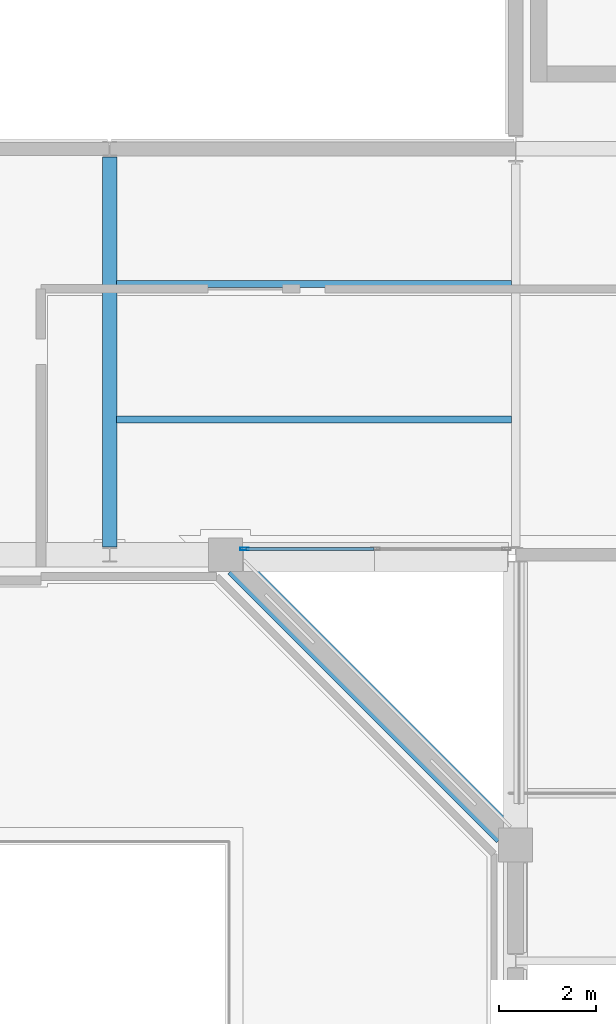
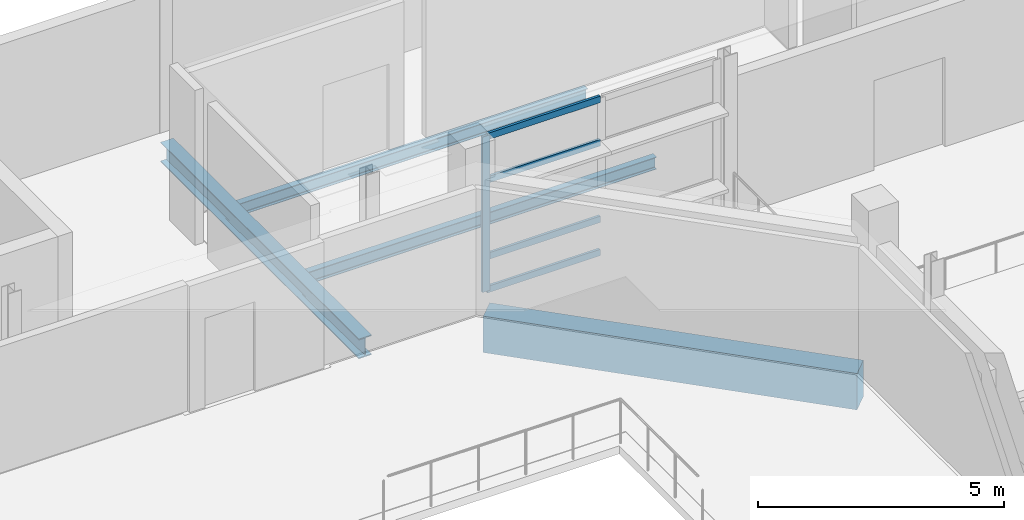
# One storey, part 16 of 151: 5 members, 4 beams, 1 element without a shape of its own.
"""IFC4 building model written with IfcOpenShell, lengths in metres."""

from ifc_helpers import new_model, si_unit, direction, frame, origin, origin_2d, place, context, subcontext, project, spatial, rectangle, hollow_rectangle, i_section, extrude, material, material_profile, profile_set, type_object, element, aggregate, save


model = new_model("IFC4")

# Units and contexts
model_context = context("Model", 3, precision=1e-05, world=origin(), true_north=direction((0.0, 1.0)))
body_context = subcontext(model_context, "Body", "Model", "MODEL_VIEW")
ifc_project = project(units=[si_unit("LENGTHUNIT", "METRE"), si_unit("AREAUNIT", "SQUARE_METRE"), si_unit("VOLUMEUNIT", "CUBIC_METRE"), si_unit("PLANEANGLEUNIT", "RADIAN"), si_unit("MASSUNIT", "GRAM", prefix="KILO")], contexts=[model_context])

# Site, building, storey
site_placement = place(None, origin())
site = spatial("IfcSite", under=ifc_project, at=site_placement, CompositionType="ELEMENT")
building_placement = place(site_placement, origin())
building = spatial("IfcBuilding", under=site, at=building_placement, Name="Mersafa Astral City Hall", CompositionType="ELEMENT")
storey_placement = place(building_placement, frame((0.0, 0.0, 9.89990234375)))
storey = spatial("IfcBuildingStorey", under=building, at=storey_placement, Name="L02", CompositionType="ELEMENT", Elevation=9.89990234375)

# Curtain wall, members
ifc_material_1 = material(Name="Anodised bronze aluminium framing", Category="aluminium")
curtain_wall_type = type_object("IfcCurtainWallType", Name="ENV-CW-3", PredefinedType="USERDEFINED", material=ifc_material_1)
curtain_wall_placement = place(storey_placement, origin())
curtain_wall = element("IfcCurtainWall", 1, at=curtain_wall_placement, inside=storey, type_object=curtain_wall_type, Name="L02 Unitised solar curtain wall 104", ObjectType="UNITISED CURTAIN WALL", PredefinedType="USERDEFINED")
ifc_material_profile_1 = material_profile(ifc_material_1, hollow_rectangle(XDim=0.06005859375, YDim=0.179931640625, WallThickness=0.00390625, at=origin_2d()), Name="RHS 60x180x4")
ifc_profile_set_1 = profile_set([ifc_material_profile_1], Name="Anodised bronze aluminium framing")
member_type_1 = type_object("IfcMemberType", Name="ENV-CW-MUL-1", PredefinedType="MULLION", material=ifc_profile_set_1)
member_1_placement = place(storey_placement, frame((86.7919921875, 25.320068359375, -0.001953125), z_axis=(0.0, 0.0, 1.0), x_axis=(0.0, 1.0, 0.0)))
member_1 = element("IfcMember", 2, at=member_1_placement, type_object=member_type_1, Name="CW-3 mullion 1", PredefinedType="MULLION", context=body_context, shape_type="SweptSolid", body=[
    extrude(hollow_rectangle(XDim=0.06005859375, YDim=0.179931640625, WallThickness=0.00390625, at=origin_2d()), origin(), (0.0, 0.0, 1.0), 3.85693359375),
])
ifc_material_profile_2 = material_profile(ifc_material_1, hollow_rectangle(XDim=0.06005859375, YDim=0.159912109375, WallThickness=0.00390625, at=origin_2d()), Name="RHS 60x160x4")
ifc_profile_set_2 = profile_set([ifc_material_profile_2], Name="Anodised bronze aluminium framing")
member_type_2 = type_object("IfcMemberType", Name="ENV-CW-TRN-2", PredefinedType="USERDEFINED", material=ifc_profile_set_2)
member_2_placement = place(storey_placement, frame((86.822021484375, 25.320068359375, 0.028076171875), z_axis=(1.0, 0.0, 0.0), x_axis=(0.0, 1.0, 0.0)))
member_2 = element("IfcMember", 3, at=member_2_placement, type_object=member_type_2, Name="CW-3 transom 1.1", ObjectType="TRANSOM", PredefinedType="USERDEFINED", context=body_context, shape_type="SweptSolid", body=[
    extrude(hollow_rectangle(XDim=0.06005859375, YDim=0.159912109375, WallThickness=0.00390625, at=origin_2d()), origin(), (0.0, 0.0, 1.0), 2.64794921875),
])
member_3_placement = place(storey_placement, frame((86.822021484375, 25.320068359375, 0.85009765625), z_axis=(1.0, 0.0, 0.0), x_axis=(0.0, 1.0, 0.0)))
member_3 = element("IfcMember", 4, at=member_3_placement, type_object=member_type_2, Name="CW-3 transom 1.2", ObjectType="TRANSOM", PredefinedType="USERDEFINED", context=body_context, shape_type="SweptSolid", body=[
    extrude(hollow_rectangle(XDim=0.06005859375, YDim=0.159912109375, WallThickness=0.00390625, at=origin_2d()), origin(), (0.0, 0.0, 1.0), 2.64794921875),
])
member_4_placement = place(storey_placement, frame((86.822021484375, 25.320068359375, 2.75), z_axis=(1.0, 0.0, 0.0), x_axis=(0.0, 1.0, 0.0)))
member_4 = element("IfcMember", 5, at=member_4_placement, type_object=member_type_2, Name="CW-3 transom 1.3", ObjectType="TRANSOM", PredefinedType="USERDEFINED", context=body_context, shape_type="SweptSolid", body=[
    extrude(hollow_rectangle(XDim=0.06005859375, YDim=0.159912109375, WallThickness=0.00390625, at=origin_2d()), origin(), (0.0, 0.0, 1.0), 2.64794921875),
])
member_5_placement = place(storey_placement, frame((86.822021484375, 25.320068359375, 3.8251953125), z_axis=(1.0, 0.0, 0.0), x_axis=(0.0, 1.0, 0.0)))
member_5 = element("IfcMember", 6, at=member_5_placement, type_object=member_type_2, Name="CW-3 transom 1.4", ObjectType="TRANSOM", PredefinedType="USERDEFINED", context=body_context, shape_type="SweptSolid", body=[
    extrude(hollow_rectangle(XDim=0.06005859375, YDim=0.159912109375, WallThickness=0.00390625, at=origin_2d()), origin(), (0.0, 0.0, 1.0), 2.64794921875),
])
aggregate(curtain_wall, [member_1, member_2, member_3, member_4, member_5])

# Beams
ifc_material_2 = material(Name="Concrete C40/50", Category="concrete")
ifc_material_profile_3 = material_profile(ifc_material_2, rectangle(XDim=0.5, YDim=0.89990234375, at=origin_2d()), Name="RC 500x900")
ifc_profile_set_3 = profile_set([ifc_material_profile_3], Name="Concrete C40/50")
beam_type_1 = type_object("IfcBeamType", Name="STR-BM-DRUM-RC500X900", PredefinedType="BEAM", material=ifc_profile_set_3)
beam_1_placement = place(storey_placement, frame((92.180908203125, 19.419189453125, -0.64990234375), z_axis=(-0.707122301018, 0.707091261015, 0.0), x_axis=(-0.707091261015, -0.707122301018, 0.0)))
element("IfcBeam", 7, at=beam_1_placement, inside=storey, type_object=beam_type_1, Name="L02 Chamber drum ring beam 4", PredefinedType="BEAM", context=body_context, shape_type="SweptSolid", body=[
    extrude(rectangle(XDim=0.5, YDim=0.89990234375, at=origin_2d()), origin(), (0.0, 0.0, 1.0), 7.865234375),
])
ifc_material_3 = material(Name="Steel S355", Category="steel")
ifc_material_profile_4 = material_profile(ifc_material_3, i_section(OverallWidth=0.300048828125, OverallDepth=0.489990234375, WebThickness=0.011962890625, FlangeThickness=0.02294921875, FilletRadius=0.027099609375, at=origin_2d()), Name="HEA 500")
ifc_profile_set_4 = profile_set([ifc_material_profile_4], Name="Steel S355")
beam_type_2 = type_object("IfcBeamType", Name="STR-BM-HEA500", PredefinedType="BEAM", material=ifc_profile_set_4)
beam_2_placement = place(storey_placement, frame((84.0, 25.364990234375, -0.44482421875), z_axis=(0.0, 1.0, 0.0), x_axis=(-1.0, 0.0, 0.0)))
element("IfcBeam", 8, at=beam_2_placement, inside=storey, type_object=beam_type_2, Name="L02 Primary girder Y 10-3", PredefinedType="BEAM", context=body_context, shape_type="SweptSolid", body=[
    extrude(i_section(OverallWidth=0.300048828125, OverallDepth=0.489990234375, WebThickness=0.011962890625, FlangeThickness=0.02294921875, FilletRadius=0.027099609375, at=origin_2d()), origin(), (0.0, 0.0, 1.0), 8.06005859375),
])
ifc_material_profile_5 = material_profile(ifc_material_3, i_section(OverallWidth=0.14990234375, OverallDepth=0.300048828125, WebThickness=0.007080078125, FlangeThickness=0.0107421875, FilletRadius=0.014892578125, at=origin_2d()), Name="IPE 300")
ifc_profile_set_5 = profile_set([ifc_material_profile_5], Name="Steel S355")
beam_type_3 = type_object("IfcBeamType", Name="STR-BM-JOIST-IPE300", PredefinedType="JOIST", material=ifc_profile_set_5)
for number, where, z_axis, x_axis, name in (
    (9, (84.14501953125, 28.0, -0.349853515625), (1.0, 0.0, 0.0), (0.0, 1.0, 0.0), "L02 Composite secondary floor joist 432"),
    (10, (84.14501953125, 30.800048828125, -0.349853515625), (1.0, 0.0, 0.0), (0.0, 1.0, 0.0), "L02 Composite secondary floor joist 433"),
):
    element("IfcBeam", number, at=place(storey_placement, frame(where, z_axis=z_axis, x_axis=x_axis)), inside=storey, type_object=beam_type_3, Name=name, PredefinedType="JOIST", context=body_context, shape_type="SweptSolid", body=[
        extrude(i_section(OverallWidth=0.14990234375, OverallDepth=0.300048828125, WebThickness=0.007080078125, FlangeThickness=0.0107421875, FilletRadius=0.014892578125, at=origin_2d()), origin(), (0.0, 0.0, 1.0), 8.169921875),
    ])

save(model, "model.ifc")
